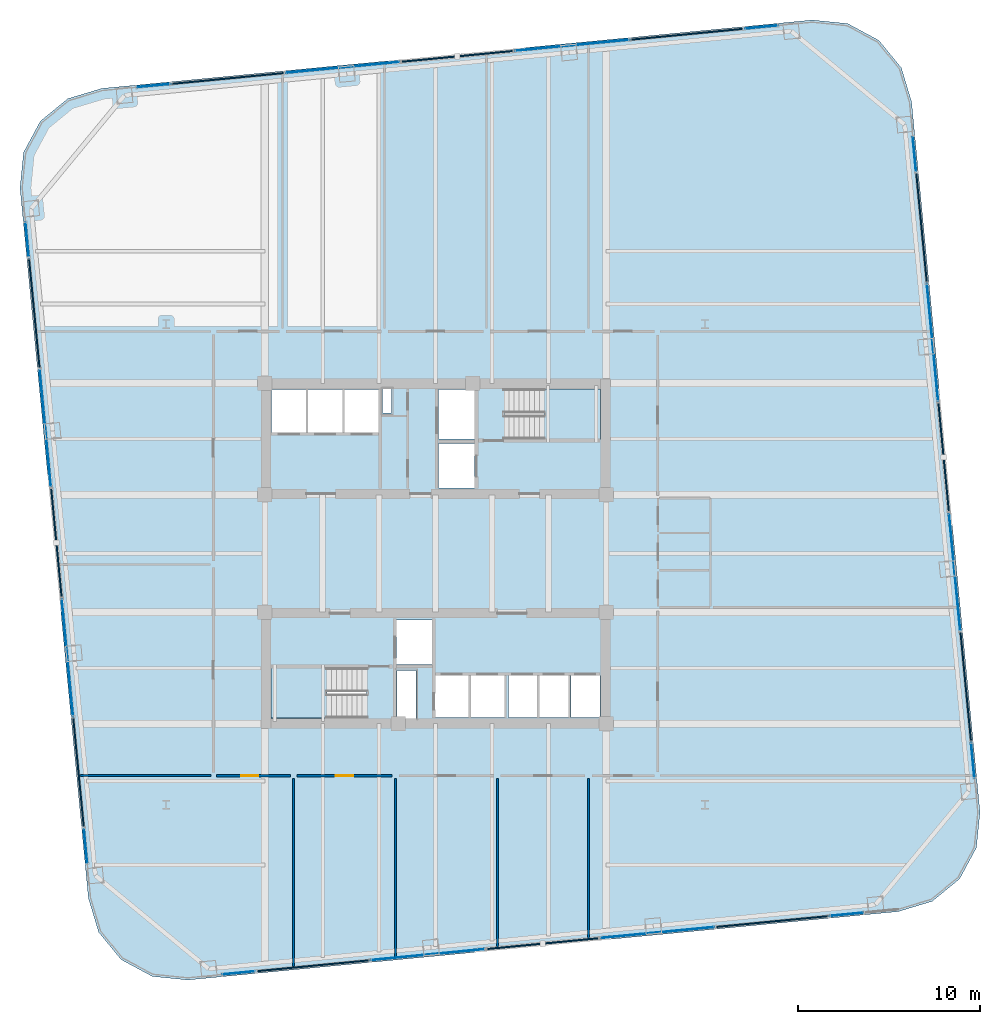
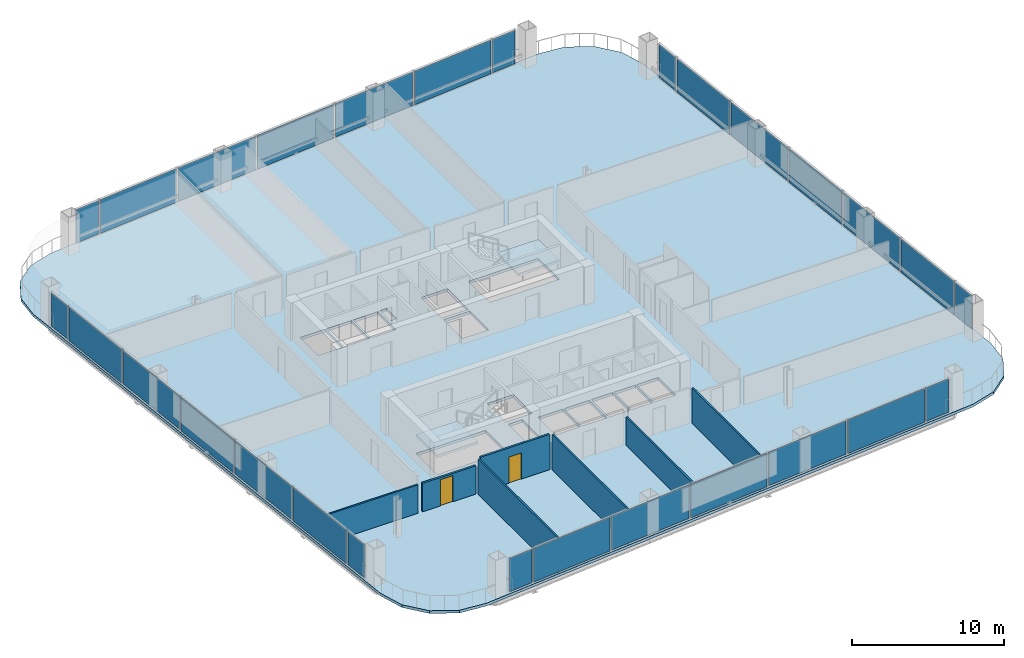
# One storey, part 28 of 34: 28 plates, 7 walls, 3 slabs, 2 doors, 2 openings, 30 elements without a shape of their own.
"""IFC4 building model written with IfcOpenShell, lengths in metres."""

from ifc_helpers import new_model, si_unit, direction, frame, frame_2d, origin, origin_2d, place, context, subcontext, project, spatial, polyline, rectangle, outline, extrude, material, layer, layer_set, type_object, element, fill, aggregate, save


model = new_model("IFC4")

# Units and contexts
model_context = context("Model", 3, precision=1e-05, world=origin(), true_north=direction((0.0, 1.0)))
body_context = subcontext(model_context, "Body", "Model", "MODEL_VIEW")
ifc_project = project(units=[si_unit("LENGTHUNIT", "METRE"), si_unit("AREAUNIT", "SQUARE_METRE"), si_unit("VOLUMEUNIT", "CUBIC_METRE"), si_unit("PLANEANGLEUNIT", "RADIAN"), si_unit("MASSUNIT", "GRAM", prefix="KILO")], contexts=[model_context])

# Site, building, storey
site_placement = place(None, origin())
site = spatial("IfcSite", under=ifc_project, at=site_placement, CompositionType="ELEMENT")
building_placement = place(site_placement, origin())
building = spatial("IfcBuilding", under=site, at=building_placement, Name="Qhalaya Broadcast Tower", CompositionType="ELEMENT")
storey_placement = place(building_placement, frame((0.0, 0.0, 78.60009765625)))
storey = spatial("IfcBuildingStorey", under=building, at=storey_placement, Name="L22", CompositionType="ELEMENT", Elevation=78.60009765625)

# Curtain wall, plate
ifc_material_1 = material(Name="Fired Architectural Terracotta", Category="masonry")
ifc_layer_1 = layer(ifc_material_1, 0.219970703125, Name="Fired Architectural Terracotta")
ifc_layer_set_1 = layer_set([ifc_layer_1], Name="Fired Architectural Terracotta")
curtain_wall_type_1 = type_object("IfcCurtainWallType", Name="Block-Cap Unitised Terracotta Spandrel Wall CW-07", PredefinedType="NOTDEFINED", material=ifc_layer_set_1)
curtain_wall_1_placement = place(storey_placement, origin())
curtain_wall_1 = element("IfcCurtainWall", 1, at=curtain_wall_1_placement, inside=storey, type_object=curtain_wall_type_1, Name="L22 Unitised Curtain Wall L22-CW-S2", PredefinedType="NOTDEFINED")
ifc_layer_2 = layer(ifc_material_1, 0.080078125, Name="Fired Architectural Terracotta")
ifc_layer_set_2 = layer_set([ifc_layer_2], Name="Fired Architectural Terracotta")
plate_type_1 = type_object("IfcPlateType", Name="Insulated Terracotta Spandrel Panel TSP-07", PredefinedType="CURTAIN_PANEL", material=ifc_layer_set_2)
plate_1_placement = place(storey_placement, frame((-6.721923828125, -22.041259765625, 0.07470703125), z_axis=(0.0, 0.0, 1.0), x_axis=(0.995394666059, 0.095861664819, 0.0)))
plate_1 = element("IfcPlate", 2, at=plate_1_placement, type_object=plate_type_1, Name="CW-07 panel 1.1", PredefinedType="CURTAIN_PANEL", context=body_context, shape_type="SweptSolid", body=[
    extrude(rectangle(XDim=6.130859375, YDim=0.080078125, at=origin_2d()), origin(), (0.0, 0.0, 1.0), 2.679931640625),
])
aggregate(curtain_wall_1, [plate_1])

curtain_wall_2_placement = place(storey_placement, origin())
curtain_wall_2 = element("IfcCurtainWall", 3, at=curtain_wall_2_placement, inside=storey, type_object=curtain_wall_type_1, Name="L22 Unitised Curtain Wall L22-CW-S4", PredefinedType="NOTDEFINED")
plate_2_placement = place(storey_placement, frame((5.88623046875, -20.827392578125, 0.07470703125), z_axis=(0.0, 0.0, 1.0), x_axis=(0.995394756218, 0.095860728627, 0.0)))
plate_2 = element("IfcPlate", 4, at=plate_2_placement, type_object=plate_type_1, Name="CW-07 panel 1.1", PredefinedType="CURTAIN_PANEL", context=body_context, shape_type="SweptSolid", body=[
    extrude(rectangle(XDim=6.132080078125, YDim=0.080078125, at=origin_2d()), origin(), (0.0, 0.0, 1.0), 2.679931640625),
])
aggregate(curtain_wall_2, [plate_2])

curtain_wall_3_placement = place(storey_placement, origin())
curtain_wall_3 = element("IfcCurtainWall", 5, at=curtain_wall_3_placement, inside=storey, type_object=curtain_wall_type_1, Name="L22 Unitised Curtain Wall L22-CW-S6", PredefinedType="NOTDEFINED")
plate_3_placement = place(storey_placement, frame((18.494384765625, -19.61328125, 0.07470703125), z_axis=(0.0, 0.0, 1.0), x_axis=(0.995394812364, 0.095860145627, 0.0)))
plate_3 = element("IfcPlate", 6, at=plate_3_placement, type_object=plate_type_1, Name="CW-07 panel 1.1", PredefinedType="CURTAIN_PANEL", context=body_context, shape_type="SweptSolid", body=[
    extrude(rectangle(XDim=6.131103515625, YDim=0.080078125, at=origin_2d()), origin(), (0.0, 0.0, 1.0), 2.679931640625),
])
aggregate(curtain_wall_3, [plate_3])

curtain_wall_4_placement = place(storey_placement, origin())
curtain_wall_4 = element("IfcCurtainWall", 7, at=curtain_wall_4_placement, inside=storey, type_object=curtain_wall_type_1, Name="L22 Unitised Curtain Wall L22-CW-E2", PredefinedType="NOTDEFINED")
plate_4_placement = place(storey_placement, frame((29.121337890625, -6.721923828125, 0.07470703125), z_axis=(0.0, 0.0, 1.0), x_axis=(-0.095843409779, 0.995396423945, 0.0)))
plate_4 = element("IfcPlate", 8, at=plate_4_placement, type_object=plate_type_1, Name="CW-07 panel 1.1", PredefinedType="CURTAIN_PANEL", context=body_context, shape_type="SweptSolid", body=[
    extrude(rectangle(XDim=5.958984375, YDim=0.080078125, at=origin_2d()), origin(), (0.0, 0.0, 1.0), 2.679931640625),
])
aggregate(curtain_wall_4, [plate_4])

curtain_wall_5_placement = place(storey_placement, origin())
curtain_wall_5 = element("IfcCurtainWall", 9, at=curtain_wall_5_placement, inside=storey, type_object=curtain_wall_type_1, Name="L22 Unitised Curtain Wall L22-CW-E4", PredefinedType="NOTDEFINED")
plate_5_placement = place(storey_placement, frame((27.9072265625, 5.88623046875, 0.07470703125), z_axis=(0.0, 0.0, 1.0), x_axis=(-0.095841245509, 0.995396632333, 0.0)))
plate_5 = element("IfcPlate", 10, at=plate_5_placement, type_object=plate_type_1, Name="CW-07 panel 1.1", PredefinedType="CURTAIN_PANEL", context=body_context, shape_type="SweptSolid", body=[
    extrude(rectangle(XDim=5.9580078125, YDim=0.080078125, at=origin_2d()), origin(), (0.0, 0.0, 1.0), 2.679931640625),
])
aggregate(curtain_wall_5, [plate_5])

curtain_wall_6_placement = place(storey_placement, origin())
curtain_wall_6 = element("IfcCurtainWall", 11, at=curtain_wall_6_placement, inside=storey, type_object=curtain_wall_type_1, Name="L22 Unitised Curtain Wall L22-CW-E6", PredefinedType="NOTDEFINED")
plate_6_placement = place(storey_placement, frame((26.693359375, 18.494384765625, 0.07470703125), z_axis=(0.0, 0.0, 1.0), x_axis=(-0.095841848125, 0.99539657431, 0.0)))
plate_6 = element("IfcPlate", 12, at=plate_6_placement, type_object=plate_type_1, Name="CW-07 panel 1.1", PredefinedType="CURTAIN_PANEL", context=body_context, shape_type="SweptSolid", body=[
    extrude(rectangle(XDim=5.958984375, YDim=0.080078125, at=origin_2d()), origin(), (0.0, 0.0, 1.0), 2.679931640625),
])
aggregate(curtain_wall_6, [plate_6])

curtain_wall_7_placement = place(storey_placement, origin())
curtain_wall_7 = element("IfcCurtainWall", 13, at=curtain_wall_7_placement, inside=storey, type_object=curtain_wall_type_1, Name="L22 Unitised Curtain Wall L22-CW-N2", PredefinedType="NOTDEFINED")
plate_7_placement = place(storey_placement, frame((13.802001953125, 29.121337890625, 0.07470703125), z_axis=(0.0, 0.0, 1.0), x_axis=(-0.995394666059, -0.095861664819, 0.0)))
plate_7 = element("IfcPlate", 14, at=plate_7_placement, type_object=plate_type_1, Name="CW-07 panel 1.1", PredefinedType="CURTAIN_PANEL", context=body_context, shape_type="SweptSolid", body=[
    extrude(rectangle(XDim=6.130859375, YDim=0.080078125, at=origin_2d()), origin(), (0.0, 0.0, 1.0), 2.679931640625),
])
aggregate(curtain_wall_7, [plate_7])

curtain_wall_8_placement = place(storey_placement, origin())
curtain_wall_8 = element("IfcCurtainWall", 15, at=curtain_wall_8_placement, inside=storey, type_object=curtain_wall_type_1, Name="L22 Unitised Curtain Wall L22-CW-N4", PredefinedType="NOTDEFINED")
plate_8_placement = place(storey_placement, frame((1.19384765625, 27.9072265625, 0.07470703125), z_axis=(0.0, 0.0, 1.0), x_axis=(-0.995394756218, -0.095860728627, 0.0)))
plate_8 = element("IfcPlate", 16, at=plate_8_placement, type_object=plate_type_1, Name="CW-07 panel 1.1", PredefinedType="CURTAIN_PANEL", context=body_context, shape_type="SweptSolid", body=[
    extrude(rectangle(XDim=6.132080078125, YDim=0.080078125, at=origin_2d()), origin(), (0.0, 0.0, 1.0), 2.679931640625),
])
aggregate(curtain_wall_8, [plate_8])

curtain_wall_9_placement = place(storey_placement, origin())
curtain_wall_9 = element("IfcCurtainWall", 17, at=curtain_wall_9_placement, inside=storey, type_object=curtain_wall_type_1, Name="L22 Unitised Curtain Wall L22-CW-N6", PredefinedType="NOTDEFINED")
plate_9_placement = place(storey_placement, frame((-11.41455078125, 26.693359375, 0.07470703125), z_axis=(0.0, 0.0, 1.0), x_axis=(-0.995394812364, -0.095860145627, 0.0)))
plate_9 = element("IfcPlate", 18, at=plate_9_placement, type_object=plate_type_1, Name="CW-07 panel 1.1", PredefinedType="CURTAIN_PANEL", context=body_context, shape_type="SweptSolid", body=[
    extrude(rectangle(XDim=6.131103515625, YDim=0.080078125, at=origin_2d()), origin(), (0.0, 0.0, 1.0), 2.679931640625),
])
aggregate(curtain_wall_9, [plate_9])

curtain_wall_10_placement = place(storey_placement, origin())
curtain_wall_10 = element("IfcCurtainWall", 19, at=curtain_wall_10_placement, inside=storey, type_object=curtain_wall_type_1, Name="L22 Unitised Curtain Wall L22-CW-W2", PredefinedType="NOTDEFINED")
plate_10_placement = place(storey_placement, frame((-22.041259765625, 13.802001953125, 0.07470703125), z_axis=(0.0, 0.0, 1.0), x_axis=(0.095843409779, -0.995396423945, 0.0)))
plate_10 = element("IfcPlate", 20, at=plate_10_placement, type_object=plate_type_1, Name="CW-07 panel 1.1", PredefinedType="CURTAIN_PANEL", context=body_context, shape_type="SweptSolid", body=[
    extrude(rectangle(XDim=5.958984375, YDim=0.080078125, at=origin_2d()), origin(), (0.0, 0.0, 1.0), 2.679931640625),
])
aggregate(curtain_wall_10, [plate_10])

curtain_wall_11_placement = place(storey_placement, origin())
curtain_wall_11 = element("IfcCurtainWall", 21, at=curtain_wall_11_placement, inside=storey, type_object=curtain_wall_type_1, Name="L22 Unitised Curtain Wall L22-CW-W4", PredefinedType="NOTDEFINED")
plate_11_placement = place(storey_placement, frame((-20.827392578125, 1.19384765625, 0.07470703125), z_axis=(0.0, 0.0, 1.0), x_axis=(0.095841245509, -0.995396632333, 0.0)))
plate_11 = element("IfcPlate", 22, at=plate_11_placement, type_object=plate_type_1, Name="CW-07 panel 1.1", PredefinedType="CURTAIN_PANEL", context=body_context, shape_type="SweptSolid", body=[
    extrude(rectangle(XDim=5.9580078125, YDim=0.080078125, at=origin_2d()), origin(), (0.0, 0.0, 1.0), 2.679931640625),
])
aggregate(curtain_wall_11, [plate_11])

curtain_wall_12_placement = place(storey_placement, origin())
curtain_wall_12 = element("IfcCurtainWall", 23, at=curtain_wall_12_placement, inside=storey, type_object=curtain_wall_type_1, Name="L22 Unitised Curtain Wall L22-CW-W6", PredefinedType="NOTDEFINED")
plate_12_placement = place(storey_placement, frame((-19.61328125, -11.41455078125, 0.07470703125), z_axis=(0.0, 0.0, 1.0), x_axis=(0.095841848125, -0.99539657431, 0.0)))
plate_12 = element("IfcPlate", 24, at=plate_12_placement, type_object=plate_type_1, Name="CW-07 panel 1.1", PredefinedType="CURTAIN_PANEL", context=body_context, shape_type="SweptSolid", body=[
    extrude(rectangle(XDim=5.958984375, YDim=0.080078125, at=origin_2d()), origin(), (0.0, 0.0, 1.0), 2.679931640625),
])
aggregate(curtain_wall_12, [plate_12])

ifc_material_2 = material(Name="Solar-Control Low-E Triple Glazing", Category="glass")
ifc_layer_3 = layer(ifc_material_2, 0.219970703125, Name="Solar-Control Low-E Triple Glazing")
ifc_layer_set_3 = layer_set([ifc_layer_3], Name="Solar-Control Low-E Triple Glazing")
curtain_wall_type_2 = type_object("IfcCurtainWallType", Name="Even-Block 4-Storey Double-Module Curtain Wall CW-03", PredefinedType="NOTDEFINED", material=ifc_layer_set_3)
curtain_wall_13_placement = place(storey_placement, origin())
curtain_wall_13 = element("IfcCurtainWall", 25, at=curtain_wall_13_placement, inside=storey, type_object=curtain_wall_type_2, Name="L22 Unitised Curtain Wall L22-CW-S1", PredefinedType="NOTDEFINED")
ifc_layer_4 = layer(ifc_material_2, 0.035888671875, Name="Solar-Control Low-E Triple Glazing")
ifc_layer_set_4 = layer_set([ifc_layer_4], Name="Solar-Control Low-E Triple Glazing")
plate_type_2 = type_object("IfcPlateType", Name="Solar-Control Curtain Glazing Panel GLP-03", PredefinedType="CURTAIN_PANEL", material=ifc_layer_set_4)
plate_13_placement = place(storey_placement, frame((-10.81494140625, -22.435546875, 0.07470703125), z_axis=(0.0, 0.0, 1.0), x_axis=(0.99539780127, 0.095829104278, 0.0)))
plate_13 = element("IfcPlate", 26, at=plate_13_placement, type_object=plate_type_2, Name="CW-03 panel 1.1", PredefinedType="CURTAIN_PANEL", context=body_context, shape_type="SweptSolid", body=[
    extrude(rectangle(XDim=1.79296875, YDim=0.035888671875, at=origin_2d()), origin(), (0.0, 0.0, 1.0), 2.679931640625),
])
aggregate(curtain_wall_13, [plate_13])

curtain_wall_14_placement = place(storey_placement, origin())
curtain_wall_14 = element("IfcCurtainWall", 27, at=curtain_wall_14_placement, inside=storey, type_object=curtain_wall_type_2, Name="L22 Unitised Curtain Wall L22-CW-S3", PredefinedType="NOTDEFINED")
plate_14_placement = place(storey_placement, frame((-0.418212890625, -21.434326171875, 0.07470703125), z_axis=(0.0, 0.0, 1.0), x_axis=(0.99539731409, 0.095834164588, 0.0)))
plate_14 = element("IfcPlate", 28, at=plate_14_placement, type_object=plate_type_2, Name="CW-03 panel 1.1", PredefinedType="CURTAIN_PANEL", context=body_context, shape_type="SweptSolid", body=[
    extrude(rectangle(XDim=6.235107421875, YDim=0.035888671875, at=origin_2d()), origin(), (0.0, 0.0, 1.0), 2.679931640625),
])
aggregate(curtain_wall_14, [plate_14])

curtain_wall_15_placement = place(storey_placement, origin())
curtain_wall_15 = element("IfcCurtainWall", 29, at=curtain_wall_15_placement, inside=storey, type_object=curtain_wall_type_2, Name="L22 Unitised Curtain Wall L22-CW-S5", PredefinedType="NOTDEFINED")
plate_15_placement = place(storey_placement, frame((12.190673828125, -20.22021484375, 0.07470703125), z_axis=(0.0, 0.0, 1.0), x_axis=(0.99539731409, 0.095834164588, 0.0)))
plate_15 = element("IfcPlate", 30, at=plate_15_placement, type_object=plate_type_2, Name="CW-03 panel 1.1", PredefinedType="CURTAIN_PANEL", context=body_context, shape_type="SweptSolid", body=[
    extrude(rectangle(XDim=6.235107421875, YDim=0.035888671875, at=origin_2d()), origin(), (0.0, 0.0, 1.0), 2.679931640625),
])
aggregate(curtain_wall_15, [plate_15])

curtain_wall_16_placement = place(storey_placement, origin())
curtain_wall_16 = element("IfcCurtainWall", 31, at=curtain_wall_16_placement, inside=storey, type_object=curtain_wall_type_2, Name="L22 Unitised Curtain Wall L22-CW-S7", PredefinedType="NOTDEFINED")
plate_16_placement = place(storey_placement, frame((22.587646484375, -19.218994140625, 0.07470703125), z_axis=(0.0, 0.0, 1.0), x_axis=(0.99539780127, 0.095829104278, 0.0)))
plate_16 = element("IfcPlate", 32, at=plate_16_placement, type_object=plate_type_2, Name="CW-03 panel 1.1", PredefinedType="CURTAIN_PANEL", context=body_context, shape_type="SweptSolid", body=[
    extrude(rectangle(XDim=1.79296875, YDim=0.035888671875, at=origin_2d()), origin(), (0.0, 0.0, 1.0), 2.679931640625),
])
aggregate(curtain_wall_16, [plate_16])

curtain_wall_17_placement = place(storey_placement, origin())
curtain_wall_17 = element("IfcCurtainWall", 33, at=curtain_wall_17_placement, inside=storey, type_object=curtain_wall_type_2, Name="L22 Unitised Curtain Wall L22-CW-E1", PredefinedType="NOTDEFINED")
plate_17_placement = place(storey_placement, frame((29.51123046875, -10.772216796875, 0.07470703125), z_axis=(0.0, 0.0, 1.0), x_axis=(-0.095857964978, 0.995395022366, 0.0)))
plate_17 = element("IfcPlate", 34, at=plate_17_placement, type_object=plate_type_2, Name="CW-03 panel 1.1", PredefinedType="CURTAIN_PANEL", context=body_context, shape_type="SweptSolid", body=[
    extrude(rectangle(XDim=1.879150390625, YDim=0.035888671875, at=origin_2d()), origin(), (0.0, 0.0, 1.0), 2.679931640625),
])
aggregate(curtain_wall_17, [plate_17])

curtain_wall_18_placement = place(storey_placement, origin())
curtain_wall_18 = element("IfcCurtainWall", 35, at=curtain_wall_18_placement, inside=storey, type_object=curtain_wall_type_2, Name="L22 Unitised Curtain Wall L22-CW-E3", PredefinedType="NOTDEFINED")
plate_18_placement = place(storey_placement, frame((28.514404296875, -0.41748046875, 0.07470703125), z_axis=(0.0, 0.0, 1.0), x_axis=(-0.095852453314, 0.995395553131, 0.0)))
plate_18 = element("IfcPlate", 36, at=plate_18_placement, type_object=plate_type_2, Name="CW-03 panel 1.1", PredefinedType="CURTAIN_PANEL", context=body_context, shape_type="SweptSolid", body=[
    extrude(rectangle(XDim=6.407958984375, YDim=0.035888671875, at=origin_2d()), origin(), (0.0, 0.0, 1.0), 2.679931640625),
])
aggregate(curtain_wall_18, [plate_18])

curtain_wall_19_placement = place(storey_placement, origin())
curtain_wall_19 = element("IfcCurtainWall", 37, at=curtain_wall_19_placement, inside=storey, type_object=curtain_wall_type_2, Name="L22 Unitised Curtain Wall L22-CW-E5", PredefinedType="NOTDEFINED")
plate_19_placement = place(storey_placement, frame((27.30029296875, 12.190185546875, 0.07470703125), z_axis=(0.0, 0.0, 1.0), x_axis=(-0.095852453314, 0.995395553131, 0.0)))
plate_19 = element("IfcPlate", 38, at=plate_19_placement, type_object=plate_type_2, Name="CW-03 panel 1.1", PredefinedType="CURTAIN_PANEL", context=body_context, shape_type="SweptSolid", body=[
    extrude(rectangle(XDim=6.407958984375, YDim=0.035888671875, at=origin_2d()), origin(), (0.0, 0.0, 1.0), 2.679931640625),
])
aggregate(curtain_wall_19, [plate_19])

curtain_wall_20_placement = place(storey_placement, origin())
curtain_wall_20 = element("IfcCurtainWall", 39, at=curtain_wall_20_placement, inside=storey, type_object=curtain_wall_type_2, Name="L22 Unitised Curtain Wall L22-CW-E7", PredefinedType="NOTDEFINED")
plate_20_placement = place(storey_placement, frame((26.30322265625, 22.544677734375, 0.07470703125), z_axis=(0.0, 0.0, 1.0), x_axis=(-0.095857964978, 0.995395022366, 0.0)))
plate_20 = element("IfcPlate", 40, at=plate_20_placement, type_object=plate_type_2, Name="CW-03 panel 1.1", PredefinedType="CURTAIN_PANEL", context=body_context, shape_type="SweptSolid", body=[
    extrude(rectangle(XDim=1.879150390625, YDim=0.035888671875, at=origin_2d()), origin(), (0.0, 0.0, 1.0), 2.679931640625),
])
aggregate(curtain_wall_20, [plate_20])

curtain_wall_21_placement = place(storey_placement, origin())
curtain_wall_21 = element("IfcCurtainWall", 41, at=curtain_wall_21_placement, inside=storey, type_object=curtain_wall_type_2, Name="L22 Unitised Curtain Wall L22-CW-N1", PredefinedType="NOTDEFINED")
plate_21_placement = place(storey_placement, frame((17.89501953125, 29.515380859375, 0.07470703125), z_axis=(0.0, 0.0, 1.0), x_axis=(-0.99539780127, -0.095829104278, 0.0)))
plate_21 = element("IfcPlate", 42, at=plate_21_placement, type_object=plate_type_2, Name="CW-03 panel 1.1", PredefinedType="CURTAIN_PANEL", context=body_context, shape_type="SweptSolid", body=[
    extrude(rectangle(XDim=1.79296875, YDim=0.035888671875, at=origin_2d()), origin(), (0.0, 0.0, 1.0), 2.679931640625),
])
aggregate(curtain_wall_21, [plate_21])

curtain_wall_22_placement = place(storey_placement, origin())
curtain_wall_22 = element("IfcCurtainWall", 43, at=curtain_wall_22_placement, inside=storey, type_object=curtain_wall_type_2, Name="L22 Unitised Curtain Wall L22-CW-N3", PredefinedType="NOTDEFINED")
plate_22_placement = place(storey_placement, frame((7.498046875, 28.514404296875, 0.07470703125), z_axis=(0.0, 0.0, 1.0), x_axis=(-0.99539731409, -0.095834164588, 0.0)))
plate_22 = element("IfcPlate", 44, at=plate_22_placement, type_object=plate_type_2, Name="CW-03 panel 1.1", PredefinedType="CURTAIN_PANEL", context=body_context, shape_type="SweptSolid", body=[
    extrude(rectangle(XDim=6.235107421875, YDim=0.035888671875, at=origin_2d()), origin(), (0.0, 0.0, 1.0), 2.679931640625),
])
aggregate(curtain_wall_22, [plate_22])

curtain_wall_23_placement = place(storey_placement, origin())
curtain_wall_23 = element("IfcCurtainWall", 45, at=curtain_wall_23_placement, inside=storey, type_object=curtain_wall_type_2, Name="L22 Unitised Curtain Wall L22-CW-N5", PredefinedType="NOTDEFINED")
plate_23_placement = place(storey_placement, frame((-5.110595703125, 27.30029296875, 0.07470703125), z_axis=(0.0, 0.0, 1.0), x_axis=(-0.99539731409, -0.095834164588, 0.0)))
plate_23 = element("IfcPlate", 46, at=plate_23_placement, type_object=plate_type_2, Name="CW-03 panel 1.1", PredefinedType="CURTAIN_PANEL", context=body_context, shape_type="SweptSolid", body=[
    extrude(rectangle(XDim=6.235107421875, YDim=0.035888671875, at=origin_2d()), origin(), (0.0, 0.0, 1.0), 2.679931640625),
])
aggregate(curtain_wall_23, [plate_23])

curtain_wall_24_placement = place(storey_placement, origin())
curtain_wall_24 = element("IfcCurtainWall", 47, at=curtain_wall_24_placement, inside=storey, type_object=curtain_wall_type_2, Name="L22 Unitised Curtain Wall L22-CW-N7", PredefinedType="NOTDEFINED")
plate_24_placement = place(storey_placement, frame((-15.507568359375, 26.299072265625, 0.07470703125), z_axis=(0.0, 0.0, 1.0), x_axis=(-0.99539780127, -0.095829104278, 0.0)))
plate_24 = element("IfcPlate", 48, at=plate_24_placement, type_object=plate_type_2, Name="CW-03 panel 1.1", PredefinedType="CURTAIN_PANEL", context=body_context, shape_type="SweptSolid", body=[
    extrude(rectangle(XDim=1.79296875, YDim=0.035888671875, at=origin_2d()), origin(), (0.0, 0.0, 1.0), 2.679931640625),
])
aggregate(curtain_wall_24, [plate_24])

curtain_wall_25_placement = place(storey_placement, origin())
curtain_wall_25 = element("IfcCurtainWall", 49, at=curtain_wall_25_placement, inside=storey, type_object=curtain_wall_type_2, Name="L22 Unitised Curtain Wall L22-CW-W1", PredefinedType="NOTDEFINED")
plate_25_placement = place(storey_placement, frame((-22.431396484375, 17.85205078125, 0.07470703125), z_axis=(0.0, 0.0, 1.0), x_axis=(0.095857964978, -0.995395022366, 0.0)))
plate_25 = element("IfcPlate", 50, at=plate_25_placement, type_object=plate_type_2, Name="CW-03 panel 1.1", PredefinedType="CURTAIN_PANEL", context=body_context, shape_type="SweptSolid", body=[
    extrude(rectangle(XDim=1.879150390625, YDim=0.035888671875, at=origin_2d()), origin(), (0.0, 0.0, 1.0), 2.679931640625),
])
aggregate(curtain_wall_25, [plate_25])

curtain_wall_26_placement = place(storey_placement, origin())
curtain_wall_26 = element("IfcCurtainWall", 51, at=curtain_wall_26_placement, inside=storey, type_object=curtain_wall_type_2, Name="L22 Unitised Curtain Wall L22-CW-W3", PredefinedType="NOTDEFINED")
plate_26_placement = place(storey_placement, frame((-21.434326171875, 7.49755859375, 0.07470703125), z_axis=(0.0, 0.0, 1.0), x_axis=(0.095852453314, -0.995395553131, 0.0)))
plate_26 = element("IfcPlate", 52, at=plate_26_placement, type_object=plate_type_2, Name="CW-03 panel 1.1", PredefinedType="CURTAIN_PANEL", context=body_context, shape_type="SweptSolid", body=[
    extrude(rectangle(XDim=6.407958984375, YDim=0.035888671875, at=origin_2d()), origin(), (0.0, 0.0, 1.0), 2.679931640625),
])
aggregate(curtain_wall_26, [plate_26])

curtain_wall_27_placement = place(storey_placement, origin())
curtain_wall_27 = element("IfcCurtainWall", 53, at=curtain_wall_27_placement, inside=storey, type_object=curtain_wall_type_2, Name="L22 Unitised Curtain Wall L22-CW-W5", PredefinedType="NOTDEFINED")
plate_27_placement = place(storey_placement, frame((-20.22021484375, -5.110107421875, 0.07470703125), z_axis=(0.0, 0.0, 1.0), x_axis=(0.095852453314, -0.995395553131, 0.0)))
plate_27 = element("IfcPlate", 54, at=plate_27_placement, type_object=plate_type_2, Name="CW-03 panel 1.1", PredefinedType="CURTAIN_PANEL", context=body_context, shape_type="SweptSolid", body=[
    extrude(rectangle(XDim=6.407958984375, YDim=0.035888671875, at=origin_2d()), origin(), (0.0, 0.0, 1.0), 2.679931640625),
])
aggregate(curtain_wall_27, [plate_27])

curtain_wall_28_placement = place(storey_placement, origin())
curtain_wall_28 = element("IfcCurtainWall", 55, at=curtain_wall_28_placement, inside=storey, type_object=curtain_wall_type_2, Name="L22 Unitised Curtain Wall L22-CW-W7", PredefinedType="NOTDEFINED")
plate_28_placement = place(storey_placement, frame((-19.22314453125, -15.46484375, 0.07470703125), z_axis=(0.0, 0.0, 1.0), x_axis=(0.095857964978, -0.995395022366, 0.0)))
plate_28 = element("IfcPlate", 56, at=plate_28_placement, type_object=plate_type_2, Name="CW-03 panel 1.1", PredefinedType="CURTAIN_PANEL", context=body_context, shape_type="SweptSolid", body=[
    extrude(rectangle(XDim=1.879150390625, YDim=0.035888671875, at=origin_2d()), origin(), (0.0, 0.0, 1.0), 2.679931640625),
])
aggregate(curtain_wall_28, [plate_28])

# Stair, slab
ifc_material_3 = material(Name="Concrete C40/50", Category="concrete")
stair_type = type_object("IfcStairType", Name="Protected Dogleg Core Stair 3150", PredefinedType="TWO_STRAIGHT_RUN_STAIR", material=ifc_material_3)
stair_1_placement = place(storey_placement, origin())
stair_1 = element("IfcStair", 57, at=stair_1_placement, inside=storey, type_object=stair_type, Name="L22 North Core Exit Stair ST-1", PredefinedType="TWO_STRAIGHT_RUN_STAIR")
ifc_layer_5 = layer(ifc_material_3, 0.199951171875, Name="Concrete C40/50")
ifc_layer_set_5 = layer_set([ifc_layer_5], Name="Concrete C40/50")
slab_type_1 = type_object("IfcSlabType", Name="Stair & Ramp Half-Landing Slab 200", PredefinedType="LANDING", material=ifc_layer_set_5)
slab_1_placement = place(storey_placement, frame((0.0, 0.0, 1.324951171875)))
slab_1 = element("IfcSlab", 58, at=slab_1_placement, type_object=slab_type_1, Name="ST-1 landing 1", PredefinedType="LANDING", context=body_context, shape_type="SweptSolid", body=[
    extrude(outline(polyline([(5.955078125, 6.8798828125), (9.050048828125, 6.8798828125), (9.050048828125, 9.639892578125), (5.955078125, 9.639892578125), (5.955078125, 6.8798828125)])), origin(), (0.0, 0.0, 1.0), 0.199951171875),
])
aggregate(stair_1, [slab_1])

stair_2_placement = place(storey_placement, origin())
stair_2 = element("IfcStair", 59, at=stair_2_placement, inside=storey, type_object=stair_type, Name="L22 South Core Exit Stair ST-2", PredefinedType="TWO_STRAIGHT_RUN_STAIR")
slab_2_placement = place(storey_placement, frame((0.0, 0.0, 1.324951171875)))
slab_2 = element("IfcSlab", 60, at=slab_2_placement, type_object=slab_type_1, Name="ST-2 landing 1", PredefinedType="LANDING", context=body_context, shape_type="SweptSolid", body=[
    extrude(outline(polyline([(-5.955078125, -5.679931640625), (-9.050048828125, -5.679931640625), (-9.050048828125, -8.43994140625), (-5.955078125, -8.43994140625), (-5.955078125, -5.679931640625)])), origin(), (0.0, 0.0, 1.0), 0.199951171875),
])
aggregate(stair_2, [slab_2])

# Slab
ifc_layer_6 = layer(ifc_material_3, 0.219970703125, Name="Concrete C40/50")
ifc_layer_set_6 = layer_set([ifc_layer_6], Name="Concrete C40/50")
slab_type_2 = type_object("IfcSlabType", Name="Tower Composite Floor Slab 220", PredefinedType="FLOOR", material=ifc_layer_set_6)
slab_3_placement = place(storey_placement, frame((0.0, 0.0, -0.22021484375)))
element("IfcSlab", 61, at=slab_3_placement, inside=storey, type_object=slab_type_2, Name="L22 Main Structural Floor Slab", PredefinedType="FLOOR", context=body_context, shape_type="SweptSolid", body=[
    extrude(outline(polyline([(25.40771484375, -19.068115234375), (27.275634765625, -18.505859375), (28.78662109375, -17.271484375), (29.7099609375, -15.552978515625), (29.9052734375, -13.612060546875), (26.148193359375, 25.40771484375), (25.5859375, 27.275634765625), (24.3515625, 28.78662109375), (22.633056640625, 29.7099609375), (20.69189453125, 29.9052734375), (-18.32763671875, 26.148193359375), (-20.19580078125, 25.5859375), (-21.70654296875, 24.3515625), (-22.6298828125, 22.633056640625), (-22.8251953125, 20.69189453125), (-19.068115234375, -18.32763671875), (-18.505859375, -20.19580078125), (-17.271484375, -21.70654296875), (-15.552978515625, -22.6298828125), (-13.612060546875, -22.8251953125), (25.40771484375, -19.068115234375)]), holes=[polyline([(3.784912109375, 9.639892578125), (9.050048828125, 9.639892578125), (9.050048828125, 6.8798828125), (3.784912109375, 6.8798828125), (3.784912109375, 9.639892578125)]), polyline([(-3.784912109375, -8.43994140625), (-9.050048828125, -8.43994140625), (-9.050048828125, -5.679931640625), (-3.784912109375, -5.679931640625), (-3.784912109375, -8.43994140625)]), polyline([(0.14990234375, 6.64990234375), (2.14990234375, 6.64990234375), (2.14990234375, 4.199951171875), (0.14990234375, 4.199951171875), (0.14990234375, 6.64990234375)]), polyline([(0.14990234375, 9.60009765625), (2.14990234375, 9.60009765625), (2.14990234375, 6.89990234375), (0.14990234375, 6.89990234375), (0.14990234375, 9.60009765625)]), polyline([(-2.14990234375, -3.050048828125), (-0.14990234375, -3.050048828125), (-0.14990234375, -5.5), (-2.14990234375, -5.5), (-2.14990234375, -3.050048828125)]), polyline([(-9.0, 9.60009765625), (-7.1201171875, 9.60009765625), (-7.1201171875, 7.25), (-9.0, 7.25), (-9.0, 9.60009765625)]), polyline([(-7.0, 9.60009765625), (-5.1201171875, 9.60009765625), (-5.1201171875, 7.25), (-7.0, 7.25), (-7.0, 9.60009765625)]), polyline([(-5.0, 9.60009765625), (-3.1201171875, 9.60009765625), (-3.1201171875, 7.25), (-5.0, 7.25), (-5.0, 9.60009765625)]), polyline([(-0.050048828125, -6.10009765625), (1.830078125, -6.10009765625), (1.830078125, -8.39990234375), (-0.050048828125, -8.39990234375), (-0.050048828125, -6.10009765625)]), polyline([(1.949951171875, -6.10009765625), (3.830078125, -6.10009765625), (3.830078125, -8.39990234375), (1.949951171875, -8.39990234375), (1.949951171875, -6.10009765625)]), polyline([(4.0, -6.10009765625), (5.60009765625, -6.10009765625), (5.60009765625, -8.39990234375), (4.0, -8.39990234375), (4.0, -6.10009765625)]), polyline([(5.719970703125, -6.10009765625), (7.320068359375, -6.10009765625), (7.320068359375, -8.39990234375), (5.719970703125, -8.39990234375), (5.719970703125, -6.10009765625)]), polyline([(7.43994140625, -6.10009765625), (9.0400390625, -6.10009765625), (9.0400390625, -8.39990234375), (7.43994140625, -8.39990234375), (7.43994140625, -6.10009765625)]), polyline([(-2.919921875, 9.659912109375), (-2.419921875, 9.659912109375), (-2.419921875, 8.320068359375), (-2.919921875, 8.320068359375), (-2.919921875, 9.659912109375)]), polyline([(-2.1201171875, -5.820068359375), (-1.080078125, -5.820068359375), (-1.080078125, -8.4599609375), (-2.1201171875, -8.4599609375), (-2.1201171875, -5.820068359375)])]), origin(), (0.0, 0.0, 1.0), 0.22021484375),
])

# Wall, opening, door
ifc_material_4 = material(Name="Gypsum Acoustic Partition")
ifc_layer_7 = layer(ifc_material_4, 0.14990234375, Name="Gypsum Acoustic Partition")
ifc_layer_set_7 = layer_set([ifc_layer_7], Name="Gypsum Acoustic Partition")
wall_type_1 = type_object("IfcWallType", Name="Corridor & Tenancy Acoustic Partition 150", PredefinedType="PARTITIONING", material=ifc_layer_set_7)
wall_1_placement = place(storey_placement, frame((-12.02001953125, -11.60009765625, 0.0), z_axis=(0.0, 0.0, 1.0), x_axis=(1.0, 0.0, 0.0)))
wall_1 = element("IfcWall", 62, at=wall_1_placement, inside=storey, type_object=wall_type_1, Name="L22 Partition Wall W-COR-06", PredefinedType="PARTITIONING", context=body_context, shape_type="SweptSolid", body=[
    extrude(rectangle(XDim=4.0400390625, YDim=0.14990234375, at=frame_2d((2.02001953125, 0.0))), origin(), (0.0, 0.0, 1.0), 2.27392578125),
])
opening_1_placement = place(wall_1_placement, frame((1.344970703125, 0.0, 0.0)))
opening_1 = element("IfcOpeningElement", 63, at=opening_1_placement, cuts=wall_1, Name="Opening D10", PredefinedType="OPENING", context=body_context, shape_type="SweptSolid", body=[
    extrude(rectangle(XDim=0.949951171875, YDim=2.10009765625, at=frame_2d((0.47509765625, 1.050048828125))), frame((0.0, 0.0869140625, 0.0), z_axis=(0.0, -1.0, 0.0), x_axis=(1.0, 0.0, 0.0)), (0.0, 0.0, 1.0), 0.173828125),
])
ifc_material_5 = material(Name="Timber Veneer Acoustic Door", Category="wood")
door_type = type_object("IfcDoorType", Name="Cellular Office & Edit Booth Door D10", OperationType="NOTDEFINED", PredefinedType="DOOR", material=ifc_material_5)
door_1_placement = place(opening_1_placement, origin())
door_1 = element("IfcDoor", 64, at=door_1_placement, inside=storey, type_object=door_type, Name="L22 Door D-RM06", OperationType="SINGLE_SWING_LEFT", OverallHeight=2.10009765625, OverallWidth=0.949951171875, PredefinedType="DOOR", context=body_context, shape_type="SweptSolid", body=[
    extrude(rectangle(XDim=0.949951171875, YDim=2.10009765625, at=frame_2d((0.47509765625, 1.050048828125))), frame((0.0, 0.02490234375, 0.0), z_axis=(0.0, -1.0, 0.0), x_axis=(1.0, 0.0, 0.0)), (0.0, 0.0, 1.0), 0.050048828125),
])
fill(opening_1, door_1)

wall_2_placement = place(storey_placement, frame((-7.6201171875, -11.60009765625, 0.0), z_axis=(0.0, 0.0, 1.0), x_axis=(1.0, 0.0, 0.0)))
wall_2 = element("IfcWall", 65, at=wall_2_placement, inside=storey, type_object=wall_type_1, Name="L22 Partition Wall W-COR-07", PredefinedType="PARTITIONING", context=body_context, shape_type="SweptSolid", body=[
    extrude(rectangle(XDim=5.240234375, YDim=0.14990234375, at=frame_2d((2.6201171875, 0.0))), origin(), (0.0, 0.0, 1.0), 2.829833984375),
])
opening_2_placement = place(wall_2_placement, frame((2.14501953125, 0.0, 0.0)))
opening_2 = element("IfcOpeningElement", 66, at=opening_2_placement, cuts=wall_2, Name="Opening D10", PredefinedType="OPENING", context=body_context, shape_type="SweptSolid", body=[
    extrude(rectangle(XDim=0.949951171875, YDim=2.10009765625, at=frame_2d((0.47509765625, 1.050048828125))), frame((0.0, 0.0869140625, 0.0), z_axis=(0.0, -1.0, 0.0), x_axis=(1.0, 0.0, 0.0)), (0.0, 0.0, 1.0), 0.173828125),
])
door_2_placement = place(opening_2_placement, origin())
door_2 = element("IfcDoor", 67, at=door_2_placement, inside=storey, type_object=door_type, Name="L22 Door D-RM07", OperationType="SINGLE_SWING_RIGHT", OverallHeight=2.10009765625, OverallWidth=0.949951171875, PredefinedType="DOOR", context=body_context, shape_type="SweptSolid", body=[
    extrude(rectangle(XDim=0.949951171875, YDim=2.10009765625, at=frame_2d((0.47509765625, 1.050048828125))), frame((0.0, 0.02490234375, 0.0), z_axis=(0.0, -1.0, 0.0), x_axis=(1.0, 0.0, 0.0)), (0.0, 0.0, 1.0), 0.050048828125),
])
fill(opening_2, door_2)

# Walls
ifc_layer_8 = layer(ifc_material_4, 0.1201171875, Name="Gypsum Acoustic Partition")
ifc_layer_set_8 = layer_set([ifc_layer_8], Name="Gypsum Acoustic Partition")
wall_type_2 = type_object("IfcWallType", Name="Office, Booth & Sanitary Partition 120", PredefinedType="PARTITIONING", material=ifc_layer_set_8)
wall_3_placement = place(storey_placement, frame((-19.595458984375, -11.60009765625, 0.0), z_axis=(0.0, 0.0, 1.0), x_axis=(1.0, 0.0, 0.0)))
element("IfcWall", 68, at=wall_3_placement, inside=storey, type_object=wall_type_2, Name="L22 Partition Wall W-BNDW2", PredefinedType="PARTITIONING", context=body_context, shape_type="SweptSolid", body=[
    extrude(rectangle(XDim=7.25537109375, YDim=0.1201171875, at=frame_2d((3.627685546875, 0.0))), origin(), (0.0, 0.0, 1.0), 2.27392578125),
])
wall_4_placement = place(storey_placement, frame((-7.800048828125, -22.14501953125, 0.0), z_axis=(0.0, 0.0, 1.0), x_axis=(0.0, 1.0, 0.0)))
element("IfcWall", 69, at=wall_4_placement, inside=storey, type_object=wall_type_2, Name="L22 Partition Wall W-DIVS1", PredefinedType="PARTITIONING", context=body_context, shape_type="SweptSolid", body=[
    extrude(rectangle(XDim=10.385009765625, YDim=0.1201171875, at=frame_2d((5.1923828125, 0.0))), origin(), (0.0, 0.0, 1.0), 2.829833984375),
])
wall_5_placement = place(storey_placement, frame((-2.199951171875, -21.60595703125, 0.0), z_axis=(0.0, 0.0, 1.0), x_axis=(0.0, 1.0, 0.0)))
element("IfcWall", 70, at=wall_5_placement, inside=storey, type_object=wall_type_2, Name="L22 Partition Wall W-DIVS2", PredefinedType="PARTITIONING", context=body_context, shape_type="SweptSolid", body=[
    extrude(rectangle(XDim=9.845947265625, YDim=0.1201171875, at=frame_2d((4.9228515625, 0.0))), origin(), (0.0, 0.0, 1.0), 2.829833984375),
])
wall_6_placement = place(storey_placement, frame((3.39990234375, -21.066650390625, 0.0), z_axis=(0.0, 0.0, 1.0), x_axis=(0.0, 1.0, 0.0)))
element("IfcWall", 71, at=wall_6_placement, inside=storey, type_object=wall_type_2, Name="L22 Partition Wall W-DIVS3", PredefinedType="PARTITIONING", context=body_context, shape_type="SweptSolid", body=[
    extrude(rectangle(XDim=9.306640625, YDim=0.1201171875, at=frame_2d((4.6533203125, 0.0))), origin(), (0.0, 0.0, 1.0), 2.27392578125),
])
wall_7_placement = place(storey_placement, frame((8.39990234375, -20.585205078125, 0.0), z_axis=(0.0, 0.0, 1.0), x_axis=(0.0, 1.0, 0.0)))
element("IfcWall", 72, at=wall_7_placement, inside=storey, type_object=wall_type_2, Name="L22 Partition Wall W-DIVS4", PredefinedType="PARTITIONING", context=body_context, shape_type="SweptSolid", body=[
    extrude(rectangle(XDim=8.8251953125, YDim=0.1201171875, at=frame_2d((4.41259765625, 0.0))), origin(), (0.0, 0.0, 1.0), 2.829833984375),
])

save(model, "model.ifc")
